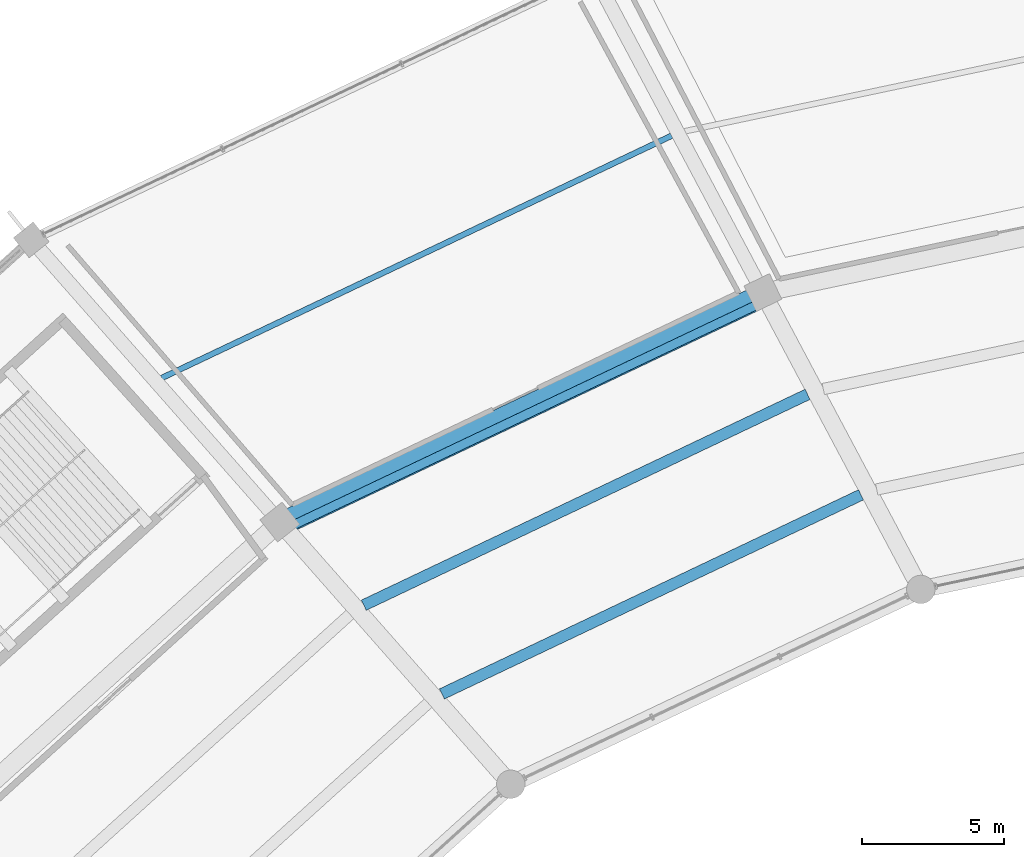
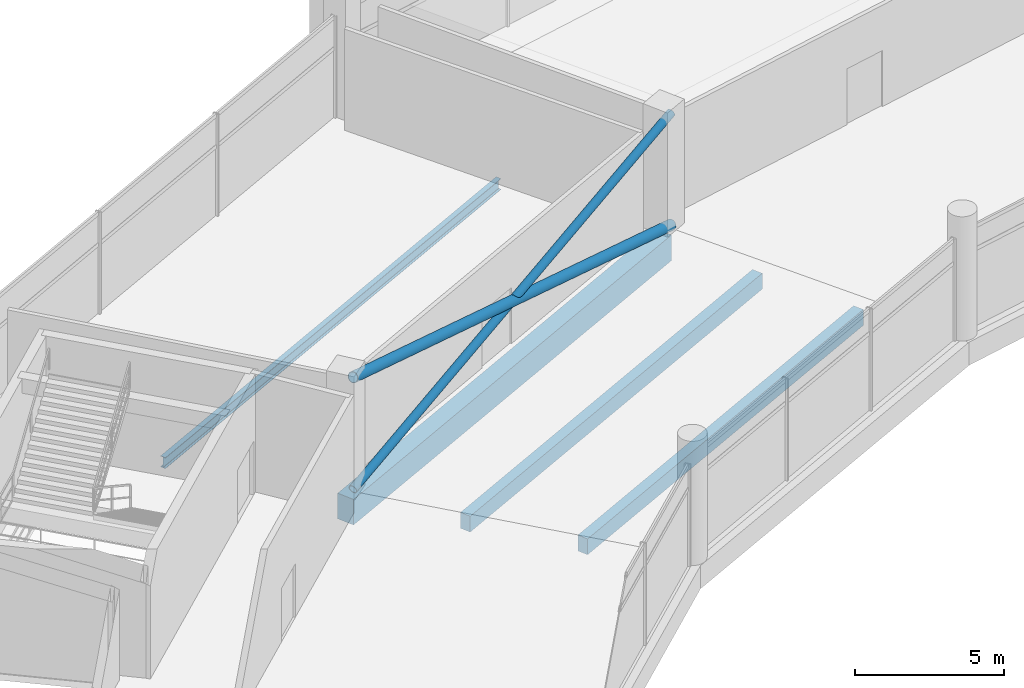
# One storey, part 101 of 184: 4 beams, 2 members.
"""IFC4 building model written with IfcOpenShell, lengths in metres."""

import ifcopenshell
import ifcopenshell.guid

model = None  # the IFC model being written
_history = None  # IfcOwnerHistory: only IFC2X3 demands one
_inside = {}  # id of a spatial element -> (the spatial element, [elements in it])
_under = {}  # id of a project, library or spatial element -> (it, [spatial elements below it])
_declared = {}  # id of a project -> (the project, [libraries it declares])
_typed = {}  # id of a type object -> (the type object, [elements of that type])
_made_of = {}  # id of a material, layer set ... -> (it, [elements and type objects made of it])


def new_model(schema):
    """Start an empty IFC model of exactly this schema.

    Asked for "IFC4X3", IfcOpenShell would pick the latest addendum, in which some entities
    have other attributes; the version numbers below select the first issue.
    IFC2X3 requires an IfcOwnerHistory on every rooted entity: one is made here for all.
    """
    global model, _history
    if schema == "IFC4X3":
        model = ifcopenshell.file(schema_version=(4, 3, 0, 0))
    else:
        model = ifcopenshell.file(schema=schema)
    _inside.clear()
    _under.clear()
    _declared.clear()
    _typed.clear()
    _made_of.clear()
    _history = None
    if model.schema == "IFC2X3":
        org = make("IfcOrganization", Name="unknown")
        user = make(
            "IfcPersonAndOrganization",
            ThePerson=make("IfcPerson", FamilyName="unknown"),
            TheOrganization=org,
        )
        app = make(
            "IfcApplication",
            ApplicationDeveloper=org,
            Version="unknown",
            ApplicationFullName="unknown",
            ApplicationIdentifier="unknown",
        )
        _history = make(
            "IfcOwnerHistory",
            OwningUser=user,
            OwningApplication=app,
            ChangeAction="ADDED",
            CreationDate=0,
        )
    return model


def make(cls, **values):
    """One entity of the class cls with the attributes given. An attribute that is None is left unset."""
    return model.create_entity(
        cls, **{name: value for name, value in values.items() if value is not None}
    )


def rooted(cls, **values):
    """An entity with a GlobalId (a new one), such as an element, a storey or a relation."""
    return make(cls, GlobalId=ifcopenshell.guid.new(), OwnerHistory=_history, **values)


def si_unit(unit_type, name, prefix=None):
    """IfcSIUnit, for example si_unit("LENGTHUNIT", "METRE", prefix="MILLI")."""
    return make("IfcSIUnit", UnitType=unit_type, Prefix=prefix, Name=name)


def assignment(units):
    """IfcUnitAssignment: the units of a project."""
    return None if units is None else make("IfcUnitAssignment", Units=units)


def point(xyz):
    """IfcCartesianPoint."""
    return None if xyz is None else make("IfcCartesianPoint", Coordinates=xyz)


def direction(xyz):
    """IfcDirection."""
    return None if xyz is None else make("IfcDirection", DirectionRatios=xyz)


def frame(location, z_axis=None, x_axis=None):
    """IfcAxis2Placement3D, a coordinate frame: its origin and axes. An axis left out is left unset."""
    return make(
        "IfcAxis2Placement3D",
        Location=point(location),
        Axis=direction(z_axis),
        RefDirection=direction(x_axis),
    )


def frame_2d(location, x_axis=None):
    """IfcAxis2Placement2D, a coordinate frame in the plane: its origin and x axis."""
    return make(
        "IfcAxis2Placement2D", Location=point(location), RefDirection=direction(x_axis)
    )


def origin():
    """The frame at (0, 0, 0) with its axes left unset."""
    return frame((0.0, 0.0, 0.0))


def origin_2d():
    """The frame at (0, 0) in the plane with its x axis left unset."""
    return frame_2d((0.0, 0.0))


def place(relative_to, where):
    """IfcLocalPlacement: puts the frame where relative to a parent placement (None: the world)."""
    return make(
        "IfcLocalPlacement", PlacementRelTo=relative_to, RelativePlacement=where
    )


def context(
    kind, dimensions, precision=None, world=None, true_north=None, identifier=None
):
    """IfcGeometricRepresentationContext, for example the 3D "Model" context."""
    return make(
        "IfcGeometricRepresentationContext",
        ContextIdentifier=identifier,
        ContextType=kind,
        CoordinateSpaceDimension=dimensions,
        Precision=precision,
        WorldCoordinateSystem=world,
        TrueNorth=true_north,
    )


def subcontext(parent, identifier, kind, view, scale=None):
    """IfcGeometricRepresentationSubContext, for example "Body" below "Model"."""
    return make(
        "IfcGeometricRepresentationSubContext",
        ContextIdentifier=identifier,
        ContextType=kind,
        ParentContext=parent,
        TargetScale=scale,
        TargetView=view,
    )


def project(units=None, contexts=None):
    """IfcProject with its units and contexts."""
    return rooted(
        "IfcProject",
        Name="project",
        RepresentationContexts=contexts,
        UnitsInContext=assignment(units),
    )


def spatial(cls, under=None, at=None, **own):
    """A site, building, storey or space (cls), placed at a placement, below another one or the project."""
    s = rooted(cls, ObjectPlacement=at, **own)
    if under is not None:
        _under.setdefault(under.id(), (under, []))[1].append(s)
    return s


def profile(cls, at=None, kind="AREA", **sizes):
    """A parametric profile (cls). Its sizes go by their IFC names, for example OverallWidth=200.0."""
    return make(cls, ProfileType=kind, Position=at, **sizes)


def rectangle(**sizes):
    """IfcRectangleProfileDef."""
    return profile("IfcRectangleProfileDef", **sizes)


def hollow_circle(**sizes):
    """IfcCircleHollowProfileDef."""
    return profile("IfcCircleHollowProfileDef", **sizes)


def i_section(**sizes):
    """IfcIShapeProfileDef."""
    return profile("IfcIShapeProfileDef", **sizes)


def extrude(swept, where, along, depth):
    """IfcExtrudedAreaSolid: the profile swept, set in the frame where, extruded along a direction by depth."""
    return make(
        "IfcExtrudedAreaSolid",
        SweptArea=swept,
        Position=where,
        ExtrudedDirection=direction(along),
        Depth=depth,
    )


def shape(context_of_items, identifier, shape_type, items):
    """IfcShapeRepresentation: the items that make up one representation, for example the "Body"."""
    return make(
        "IfcShapeRepresentation",
        ContextOfItems=context_of_items,
        RepresentationIdentifier=identifier,
        RepresentationType=shape_type,
        Items=items,
    )


def material(Name=None, Category=None):
    """IfcMaterial."""
    return make("IfcMaterial", Name=Name, Category=Category)


def material_profile(
    of_material, cross_section, Name=None, Category=None, Priority=None
):
    """IfcMaterialProfile: a cross section and its material."""
    return make(
        "IfcMaterialProfile",
        Name=Name,
        Material=of_material,
        Profile=cross_section,
        Priority=Priority,
        Category=Category,
    )


def profile_set(profiles, Name=None, composite=None):
    """IfcMaterialProfileSet."""
    return make(
        "IfcMaterialProfileSet",
        Name=Name,
        MaterialProfiles=profiles,
        CompositeProfile=composite,
    )


def made_of(thing, what):
    """Note that an element or type object is made of a material, layer set ...; save() writes the relation."""
    if what is not None:
        _made_of.setdefault(what.id(), (what, []))[1].append(thing)
    return thing


def type_object(cls, material=None, **own):
    """A type object (cls), such as IfcWallType, which elements share."""
    return made_of(rooted(cls, **own), material)


def element(
    cls,
    number,
    at=None,
    inside=None,
    cuts=None,
    type_object=None,
    material=None,
    context=None,
    identifier="Body",
    shape_type=None,
    held_by="IfcProductDefinitionShape",
    body=None,
    shapes=None,
    **own,
):
    """One element of the class cls, such as IfcWall. Its Tag is "e" and its number.

    at: its placement. inside: the storey or other place that contains it. cuts: it is an
    opening in that element (IfcRelVoidsElement). A single representation is given by context,
    identifier, shape_type and body (its items); several are given by shapes. held_by: the class
    of the entity that holds the representations. save() writes the other relations.
    """
    e = rooted(cls, Tag="e%d" % number, ObjectPlacement=at, **own)
    if body is not None:
        shapes = [shape(context, identifier, shape_type, body)]
    if shapes is not None:
        e.Representation = make(held_by, Representations=shapes)
    if inside is not None:
        _inside.setdefault(inside.id(), (inside, []))[1].append(e)
    if cuts is not None:
        rooted(
            "IfcRelVoidsElement", RelatingBuildingElement=cuts, RelatedOpeningElement=e
        )
    if type_object is not None:
        _typed.setdefault(type_object.id(), (type_object, []))[1].append(e)
    return made_of(e, material)


def aggregate(whole, parts):
    """IfcRelAggregates: a whole, such as a stair, and the parts it consists of."""
    return rooted("IfcRelAggregates", RelatingObject=whole, RelatedObjects=parts)


def save(model, path):
    """Write the relations noted so far, then the file.

    IfcRelAggregates (storeys below a building ...), IfcRelContainedInSpatialStructure (elements
    in a storey), IfcRelDefinesByType, IfcRelAssociatesMaterial and IfcRelDeclares: one each for
    every whole, place, type object, material and project.
    """
    for whole, parts in _under.values():
        aggregate(whole, parts)
    for where, things in _inside.values():
        rooted(
            "IfcRelContainedInSpatialStructure",
            RelatedElements=things,
            RelatingStructure=where,
        )
    for kind, things in _typed.values():
        rooted("IfcRelDefinesByType", RelatedObjects=things, RelatingType=kind)
    for what, things in _made_of.values():
        rooted("IfcRelAssociatesMaterial", RelatedObjects=things, RelatingMaterial=what)
    for by, libraries in _declared.values():
        rooted("IfcRelDeclares", RelatingContext=by, RelatedDefinitions=libraries)
    model.write(path)


model = new_model("IFC4")

# Units and contexts
model_context = context("Model", 3, precision=1e-05, world=origin(), true_north=direction((0.0, 1.0)))
body_context = subcontext(model_context, "Body", "Model", "MODEL_VIEW")
ifc_project = project(units=[si_unit("LENGTHUNIT", "METRE"), si_unit("AREAUNIT", "SQUARE_METRE"), si_unit("VOLUMEUNIT", "CUBIC_METRE"), si_unit("PLANEANGLEUNIT", "RADIAN"), si_unit("MASSUNIT", "GRAM", prefix="KILO")], contexts=[model_context])

# Site, building, storey
site_placement = place(None, origin())
site = spatial("IfcSite", under=ifc_project, at=site_placement, CompositionType="ELEMENT")
building_placement = place(site_placement, origin())
building = spatial("IfcBuilding", under=site, at=building_placement, Name="Kazemori Nagisa Stadium", CompositionType="ELEMENT")
storey_placement = place(building_placement, frame((0.0, 0.0, 10.5400390625)))
storey = spatial("IfcBuildingStorey", under=building, at=storey_placement, Name="L02", CompositionType="ELEMENT", Elevation=10.5400390625)

# Beams
ifc_material_1 = material(Name="Concrete C40/50 (Fc42)", Category="concrete")
ifc_material_profile_1 = material_profile(ifc_material_1, rectangle(XDim=0.64990234375, YDim=1.050048828125, at=origin_2d()), Name="RC-BM-650x1050")
ifc_profile_set_1 = profile_set([ifc_material_profile_1], Name="Concrete C40/50 (Fc42)")
beam_type_1 = type_object("IfcBeamType", Name="Beam_BG-RC650X1050", PredefinedType="BEAM", material=ifc_profile_set_1)
beam_1_placement = place(storey_placement, frame((86.18798828125, 171.19921875, -0.78515625), z_axis=(-0.90321938295, -0.42917915404, 0.0), x_axis=(0.42917915404, -0.90321938295, 0.0)))
element("IfcBeam", 1, at=beam_1_placement, inside=storey, type_object=beam_type_1, Name="Ring girder BG-RC650X1050 L02 R2-10", PredefinedType="BEAM", context=body_context, shape_type="SweptSolid", body=[
    extrude(rectangle(XDim=0.64990234375, YDim=1.050048828125, at=origin_2d()), origin(), (0.0, 0.0, 1.0), 18.84619140625),
])
ifc_material_2 = material(Name="Steel SN490B", Category="steel")
ifc_material_profile_2 = material_profile(ifc_material_2, i_section(OverallWidth=0.199951171875, OverallDepth=0.449951171875, WebThickness=0.009033203125, FlangeThickness=0.013916015625, FilletRadius=0.012939453125, at=origin_2d()), Name="H-450x200x9x14")
ifc_profile_set_2 = profile_set([ifc_material_profile_2], Name="Steel SN490B")
beam_type_2 = type_object("IfcBeamType", Name="Beam_BJ-H450", PredefinedType="JOIST", material=ifc_profile_set_2)
beam_2_placement = place(storey_placement, frame((82.97021484375, 176.7265625, -0.485107421875), z_axis=(-0.903215058486, -0.429188254876, 0.0), x_axis=(0.429188254876, -0.903215058486, 0.0)))
element("IfcBeam", 2, at=beam_2_placement, inside=storey, type_object=beam_type_2, Name="Outer bay joist BJ-H450 L02 B10", PredefinedType="JOIST", context=body_context, shape_type="SweptSolid", body=[
    extrude(i_section(OverallWidth=0.199951171875, OverallDepth=0.449951171875, WebThickness=0.009033203125, FlangeThickness=0.013916015625, FilletRadius=0.012939453125, at=origin_2d()), origin(), (0.0, 0.0, 1.0), 19.89013671875),
])
ifc_material_profile_3 = material_profile(ifc_material_1, rectangle(XDim=0.39990234375, YDim=0.64990234375, at=origin_2d()), Name="RC-BM-400x650")
ifc_profile_set_3 = profile_set([ifc_material_profile_3], Name="Concrete C40/50 (Fc42)")
beam_type_3 = type_object("IfcBeamType", Name="Beam_BJ-RC400X650", PredefinedType="JOIST", material=ifc_profile_set_3)
beam_3_placement = place(storey_placement, frame((89.6455078125, 164.072265625, -0.5849609375), z_axis=(-0.903215717065, -0.429186868912, 0.0), x_axis=(0.429186868912, -0.903215717065, 0.0)))
element("IfcBeam", 3, at=beam_3_placement, inside=storey, type_object=beam_type_3, Name="Concourse joist BJ-RC400X650 L02 B10-1", PredefinedType="JOIST", context=body_context, shape_type="SweptSolid", body=[
    extrude(rectangle(XDim=0.39990234375, YDim=0.64990234375, at=origin_2d()), origin(), (0.0, 0.0, 1.0), 16.349609375),
])
beam_4_placement = place(storey_placement, frame((87.76220703125, 167.61279296875, -0.5849609375), z_axis=(-0.903215468459, -0.429187392099, 0.0), x_axis=(0.429187392099, -0.903215468459, 0.0)))
element("IfcBeam", 4, at=beam_4_placement, inside=storey, type_object=beam_type_3, Name="Concourse joist BJ-RC400X650 L02 B10-2", PredefinedType="JOIST", context=body_context, shape_type="SweptSolid", body=[
    extrude(rectangle(XDim=0.39990234375, YDim=0.64990234375, at=origin_2d()), origin(), (0.0, 0.0, 1.0), 17.31396484375),
])

# Members
ifc_material_3 = material(Name="Steel STK490", Category="steel")
ifc_material_profile_4 = material_profile(ifc_material_3, hollow_circle(Radius=0.1591796875, WallThickness=0.01025390625, at=origin_2d()), Name="CHS-318.5x10.3")
ifc_profile_set_4 = profile_set([ifc_material_profile_4], Name="Steel STK490")
member_type_1 = type_object("IfcMemberType", Name="Member_TB-CHS318", PredefinedType="BRACE", material=ifc_profile_set_4)
member_1_placement = place(storey_placement, frame((69.29443359375, 162.83984375, 0.14990234375), z_axis=(0.877458759714, 0.416938581377, 0.237125166022), x_axis=(-0.42917915404, 0.90321938295, 0.0)))
element("IfcMember", 5, at=member_1_placement, inside=storey, type_object=member_type_1, Name="Seismic brace TB-CHS318 L02 B10-B", PredefinedType="BRACE", context=body_context, shape_type="SweptSolid", body=[
    extrude(hollow_circle(Radius=0.1591796875, WallThickness=0.01025390625, at=origin_2d()), origin(), (0.0, 0.0, 1.0), 19.3994140625),
])
ifc_material_profile_5 = material_profile(ifc_material_3, hollow_circle(Radius=0.203125, WallThickness=0.014404296875, at=origin_2d()), Name="CHS-406.4x14.3")
ifc_profile_set_5 = profile_set([ifc_material_profile_5], Name="Steel STK490")
member_type_2 = type_object("IfcMemberType", Name="Member_TB-CHS406", PredefinedType="BRACE", material=ifc_profile_set_5)
member_2_placement = place(storey_placement, frame((86.316650390625, 170.92822265625, 0.14990234375), z_axis=(-0.877458759714, -0.416938581377, 0.237125166022), x_axis=(0.42917915404, -0.90321938295, 0.0)))
element("IfcMember", 6, at=member_2_placement, inside=storey, type_object=member_type_2, Name="Seismic brace TB-CHS355 L02 B10-A", PredefinedType="BRACE", context=body_context, shape_type="SweptSolid", body=[
    extrude(hollow_circle(Radius=0.203125, WallThickness=0.014404296875, at=origin_2d()), origin(), (0.0, 0.0, 1.0), 19.3994140625),
])

save(model, "model.ifc")
